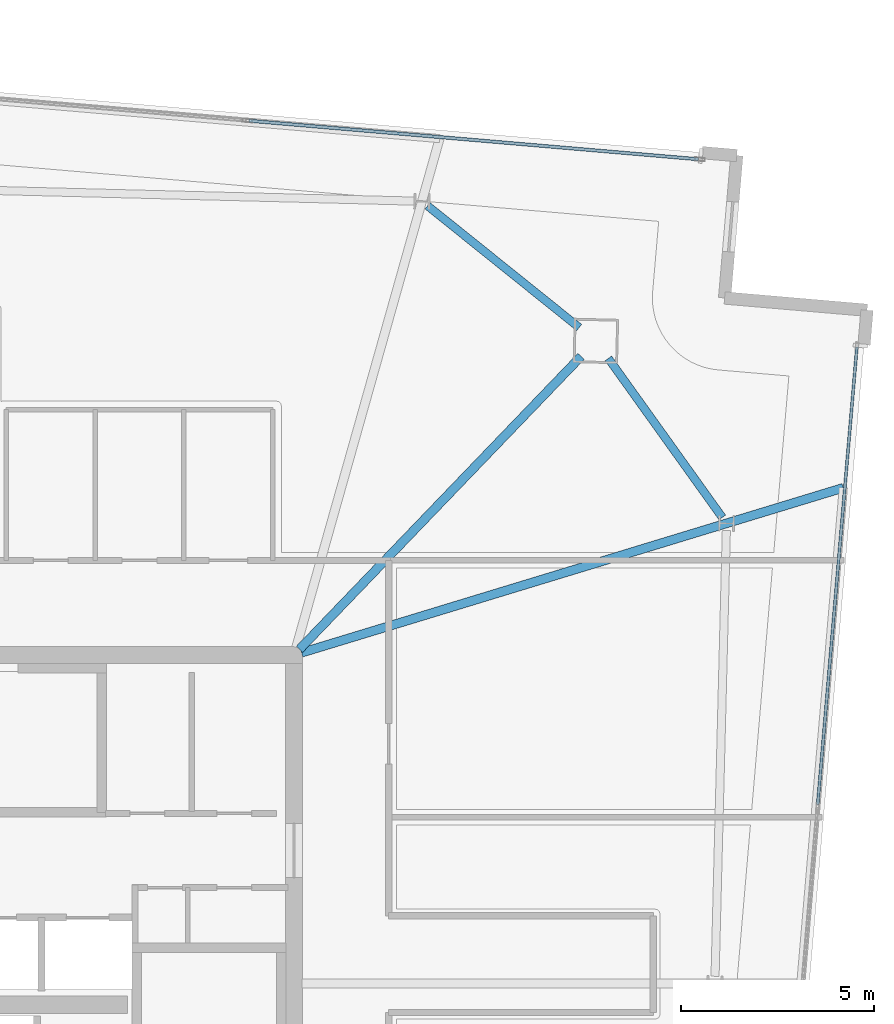
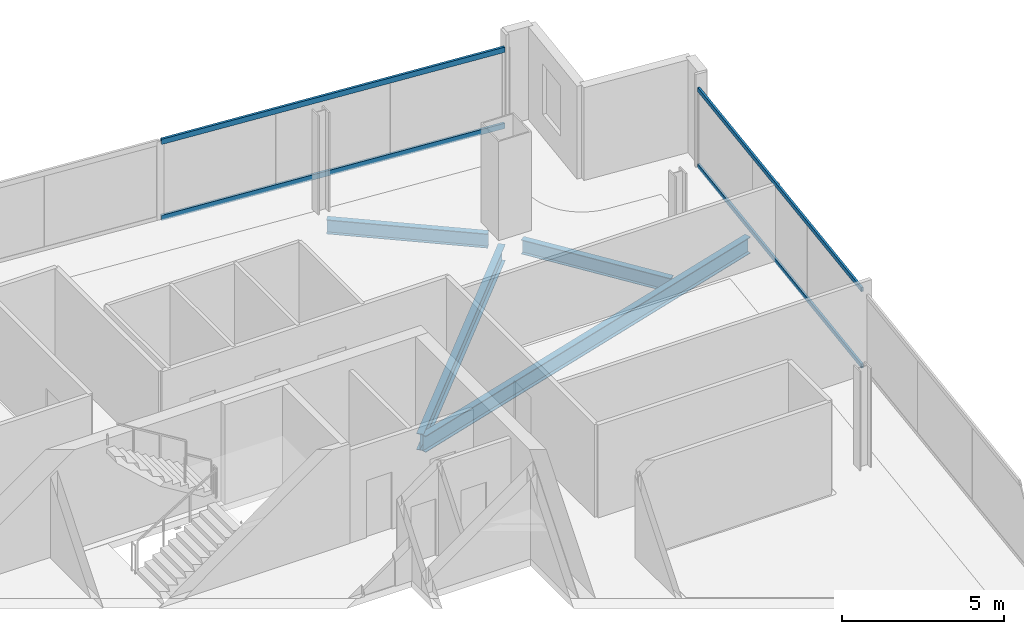
# One storey, part 16 of 24: 4 beams, 4 members, 2 elements without a shape of their own.
"""IFC4 building model written with IfcOpenShell, lengths in metres."""

from ifc_helpers import new_model, si_unit, direction, frame, origin, origin_2d, place, context, subcontext, project, spatial, hollow_rectangle, i_section, extrude, material, material_profile, profile_set, type_object, element, aggregate, save


model = new_model("IFC4")

# Units and contexts
model_context = context("Model", 3, precision=1e-05, world=origin(), true_north=direction((0.0, 1.0)))
body_context = subcontext(model_context, "Body", "Model", "MODEL_VIEW")
ifc_project = project(units=[si_unit("LENGTHUNIT", "METRE"), si_unit("AREAUNIT", "SQUARE_METRE"), si_unit("VOLUMEUNIT", "CUBIC_METRE"), si_unit("PLANEANGLEUNIT", "RADIAN"), si_unit("MASSUNIT", "GRAM", prefix="KILO")], contexts=[model_context])

# Site, building, storey
site_placement = place(None, origin())
site = spatial("IfcSite", under=ifc_project, at=site_placement, CompositionType="ELEMENT")
building_placement = place(site_placement, origin())
building = spatial("IfcBuilding", under=site, at=building_placement, Name="Haldenkirk Collegiate Tower", CompositionType="ELEMENT")
storey_placement = place(building_placement, frame((0.0, 0.0, 313.949951171875)))
storey = spatial("IfcBuildingStorey", under=building, at=storey_placement, Name="L79", CompositionType="ELEMENT", Elevation=313.949951171875)

# Beams
ifc_material_1 = material(Name="Steel ASTM A992 Grade 50", Category="steel")
ifc_material_profile_1 = material_profile(ifc_material_1, i_section(OverallWidth=0.22998046875, OverallDepth=0.616943359375, WebThickness=0.01318359375, FlangeThickness=0.022216796875, at=origin_2d()), Name="W24X94")
ifc_profile_set_1 = profile_set([ifc_material_profile_1], Name="Steel ASTM A992 Grade 50")
beam_type_1 = type_object("IfcBeamType", Name="BM-GIRDER-W24X94", PredefinedType="BEAM", material=ifc_profile_set_1)
beam_1_placement = place(storey_placement, frame((52.428955078125, 41.7294921875, -0.568359375), z_axis=(-0.692944915375, -0.720990529935, 0.0), x_axis=(0.720990529935, -0.692944915375, 0.0)))
element("IfcBeam", 1, at=beam_1_placement, inside=storey, type_object=beam_type_1, Name="L79 primary floor girder 02", PredefinedType="BEAM", context=body_context, shape_type="SweptSolid", body=[
    extrude(i_section(OverallWidth=0.22998046875, OverallDepth=0.616943359375, WebThickness=0.01318359375, FlangeThickness=0.022216796875, at=origin_2d()), origin(), (0.0, 0.0, 1.0), 10.515869140625),
])
beam_2_placement = place(storey_placement, frame((59.218017578125, 38.328857421875, -0.568359375), z_axis=(-0.956645634916, -0.291254406312, 0.0), x_axis=(0.291254406312, -0.956645634916, 0.0)))
element("IfcBeam", 2, at=beam_2_placement, inside=storey, type_object=beam_type_1, Name="L79 primary floor girder 07", PredefinedType="BEAM", context=body_context, shape_type="SweptSolid", body=[
    extrude(i_section(OverallWidth=0.22998046875, OverallDepth=0.616943359375, WebThickness=0.01318359375, FlangeThickness=0.022216796875, at=origin_2d()), origin(), (0.0, 0.0, 1.0), 14.657470703125),
])
ifc_material_profile_2 = material_profile(ifc_material_1, i_section(OverallWidth=0.2099609375, OverallDepth=0.537109375, WebThickness=0.010986328125, FlangeThickness=0.017333984375, at=origin_2d()), Name="W21X68")
ifc_profile_set_2 = profile_set([ifc_material_profile_2], Name="Steel ASTM A992 Grade 50")
beam_type_2 = type_object("IfcBeamType", Name="BM-SPANDREL-W21X68", PredefinedType="SPANDREL", material=ifc_profile_set_2)
beam_3_placement = place(storey_placement, frame((56.085693359375, 37.561279296875, -0.528564453125), z_axis=(-0.582300220922, 0.812973832737, 0.0), x_axis=(-0.812973832737, -0.582300220922, 0.0)))
element("IfcBeam", 3, at=beam_3_placement, inside=storey, type_object=beam_type_2, Name="L79 perimeter spandrel beam 04", PredefinedType="SPANDREL", context=body_context, shape_type="SweptSolid", body=[
    extrude(i_section(OverallWidth=0.2099609375, OverallDepth=0.537109375, WebThickness=0.010986328125, FlangeThickness=0.017333984375, at=origin_2d()), origin(), (0.0, 0.0, 1.0), 5.064453125),
])
beam_4_placement = place(storey_placement, frame((52.380859375, 42.477294921875, -0.528564453125), z_axis=(-0.779721728928, 0.626126205678, 0.0), x_axis=(-0.626126205678, -0.779721728928, 0.0)))
element("IfcBeam", 4, at=beam_4_placement, inside=storey, type_object=beam_type_2, Name="L79 perimeter spandrel beam 05", PredefinedType="SPANDREL", context=body_context, shape_type="SweptSolid", body=[
    extrude(i_section(OverallWidth=0.2099609375, OverallDepth=0.537109375, WebThickness=0.010986328125, FlangeThickness=0.017333984375, at=origin_2d()), origin(), (0.0, 0.0, 1.0), 5.03076171875),
])

# Curtain wall, members
ifc_material_2 = material(Name="Anodised architectural bronze aluminium", Category="aluminium")
curtain_wall_type_1 = type_object("IfcCurtainWallType", Name="CW-SYS2-CONCAVE", PredefinedType="USERDEFINED", material=ifc_material_2)
curtain_wall_1_placement = place(storey_placement, origin())
curtain_wall_1 = element("IfcCurtainWall", 5, at=curtain_wall_1_placement, inside=storey, type_object=curtain_wall_type_1, Name="L79 South concave recessed bronze-anodised curtain wall", ObjectType="UNITISED CURTAIN WALL", PredefinedType="USERDEFINED")
ifc_material_profile_3 = material_profile(ifc_material_2, hollow_rectangle(XDim=0.074951171875, YDim=0.159912109375, WallThickness=0.0048828125, at=origin_2d()), Name="CW-TRN-02")
ifc_profile_set_3 = profile_set([ifc_material_profile_3], Name="Anodised architectural bronze aluminium")
member_type_1 = type_object("IfcMemberType", Name="CW-TRN-02", PredefinedType="USERDEFINED", material=ifc_profile_set_3)
member_1_placement = place(storey_placement, frame((59.5703125, 41.969970703125, 0.03759765625), z_axis=(-0.085416286641, -0.996345350758, 0.0), x_axis=(0.996345350758, -0.085416286641, 0.0)))
member_1 = element("IfcMember", 6, at=member_1_placement, type_object=member_type_1, Name="CW-02 transom 1.1", ObjectType="TRANSOM", PredefinedType="USERDEFINED", context=body_context, shape_type="SweptSolid", body=[
    extrude(hollow_rectangle(XDim=0.074951171875, YDim=0.159912109375, WallThickness=0.0048828125, at=origin_2d()), origin(), (0.0, 0.0, 1.0), 11.887451171875),
])
member_2_placement = place(storey_placement, frame((59.5703125, 41.969970703125, 2.91064453125), z_axis=(-0.085416286641, -0.996345350758, 0.0), x_axis=(0.996345350758, -0.085416286641, 0.0)))
member_2 = element("IfcMember", 7, at=member_2_placement, type_object=member_type_1, Name="CW-02 transom 1.2", ObjectType="TRANSOM", PredefinedType="USERDEFINED", context=body_context, shape_type="SweptSolid", body=[
    extrude(hollow_rectangle(XDim=0.074951171875, YDim=0.159912109375, WallThickness=0.0048828125, at=origin_2d()), origin(), (0.0, 0.0, 1.0), 11.887451171875),
])
aggregate(curtain_wall_1, [member_1, member_2])

curtain_wall_type_2 = type_object("IfcCurtainWallType", Name="CW-SYS1B-CONVEX-HI", PredefinedType="USERDEFINED", material=ifc_material_2)
curtain_wall_2_placement = place(storey_placement, origin())
curtain_wall_2 = element("IfcCurtainWall", 8, at=curtain_wall_2_placement, inside=storey, type_object=curtain_wall_type_2, Name="L79 Upper tower high-wind convex bronze unitised curtain wall", ObjectType="UNITISED CURTAIN WALL", PredefinedType="USERDEFINED")
ifc_material_profile_4 = material_profile(ifc_material_2, hollow_rectangle(XDim=0.0849609375, YDim=0.199951171875, WallThickness=0.0048828125, at=origin_2d()), Name="CW-TRN-1B")
ifc_profile_set_4 = profile_set([ifc_material_profile_4], Name="Anodised architectural bronze aluminium")
member_type_2 = type_object("IfcMemberType", Name="CW-TRN-1B", PredefinedType="USERDEFINED", material=ifc_profile_set_4)
member_3_placement = place(storey_placement, frame((43.835693359375, 47.83056640625, 0.04248046875), z_axis=(0.9963450217, -0.085420124877, 0.0), x_axis=(0.085420124877, 0.9963450217, 0.0)))
member_3 = element("IfcMember", 9, at=member_3_placement, type_object=member_type_2, Name="CW-1B transom 3.1", ObjectType="TRANSOM", PredefinedType="USERDEFINED", context=body_context, shape_type="SweptSolid", body=[
    extrude(hollow_rectangle(XDim=0.0849609375, YDim=0.199951171875, WallThickness=0.0048828125, at=origin_2d()), origin(), (0.0, 0.0, 1.0), 11.672607421875),
])
member_4_placement = place(storey_placement, frame((43.835693359375, 47.83056640625, 2.905517578125), z_axis=(0.9963450217, -0.085420124877, 0.0), x_axis=(0.085420124877, 0.9963450217, 0.0)))
member_4 = element("IfcMember", 10, at=member_4_placement, type_object=member_type_2, Name="CW-1B transom 3.2", ObjectType="TRANSOM", PredefinedType="USERDEFINED", context=body_context, shape_type="SweptSolid", body=[
    extrude(hollow_rectangle(XDim=0.0849609375, YDim=0.199951171875, WallThickness=0.0048828125, at=origin_2d()), origin(), (0.0, 0.0, 1.0), 11.672607421875),
])
aggregate(curtain_wall_2, [member_3, member_4])

save(model, "model.ifc")
